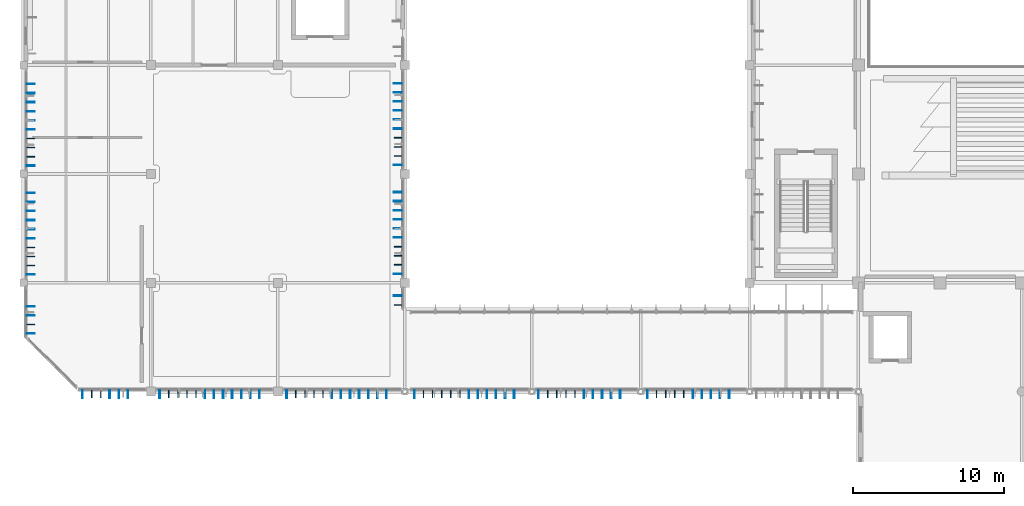
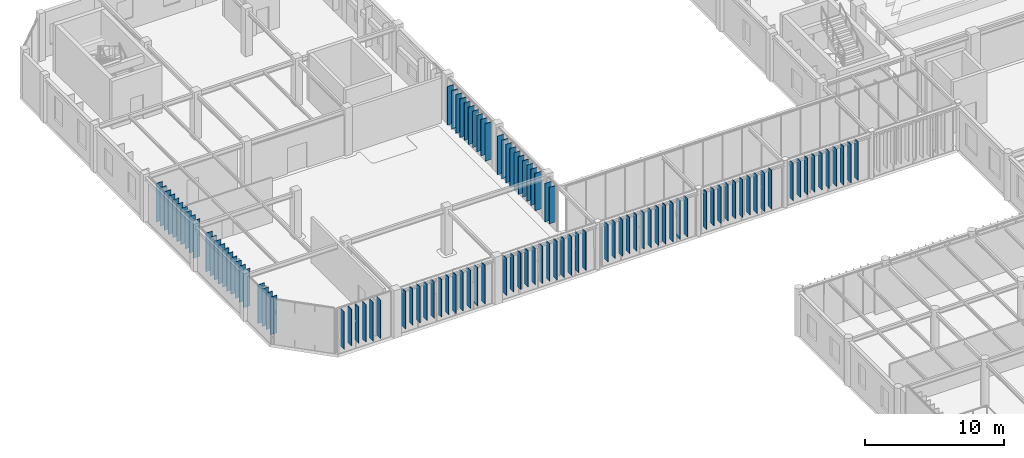
# One storey, part 18 of 104: 108 plates.
"""IFC4 building model written with IfcOpenShell, lengths in metres."""

from ifc_helpers import new_model, si_unit, direction, frame, origin, origin_2d, place, context, subcontext, project, spatial, rectangle, extrude, material, layer, layer_set, type_object, element, save


model = new_model("IFC4")

# Units and contexts
model_context = context("Model", 3, precision=1e-05, world=origin(), true_north=direction((0.0, 1.0)))
body_context = subcontext(model_context, "Body", "Model", "MODEL_VIEW")
ifc_project = project(units=[si_unit("LENGTHUNIT", "METRE"), si_unit("AREAUNIT", "SQUARE_METRE"), si_unit("VOLUMEUNIT", "CUBIC_METRE"), si_unit("PLANEANGLEUNIT", "RADIAN"), si_unit("MASSUNIT", "GRAM", prefix="KILO")], contexts=[model_context])

# Site, building, storey
site_placement = place(None, origin())
site = spatial("IfcSite", under=ifc_project, at=site_placement, CompositionType="ELEMENT")
building_placement = place(site_placement, origin())
building = spatial("IfcBuilding", under=site, at=building_placement, Name="Tazoul Stagehouse", CompositionType="ELEMENT")
storey_placement = place(building_placement, frame((0.0, 0.0, 9.0)))
storey = spatial("IfcBuildingStorey", under=building, at=storey_placement, Name="L02", CompositionType="ELEMENT", Elevation=9.0)

# Plates
ifc_material = material(Name="Anodised Bronze Aluminium 6063-T6", Category="aluminium")
ifc_layer_1 = layer(ifc_material, 0.52001953125, Name="Anodised Bronze Aluminium 6063-T6")
ifc_layer_set_1 = layer_set([ifc_layer_1], Name="Anodised Bronze Aluminium 6063-T6")
plate_type_1 = type_object("IfcPlateType", Name="Parametric Terracotta-Bronze Solar Fin 520x3200", PredefinedType="USERDEFINED", material=ifc_layer_set_1)
for number, where, z_axis, x_axis, name in (
    (1, (6.889892578125, 44.449951171875, 0.7099609375), (0.0, 0.0, 1.0), (1.0, 0.0, 0.0), "L02 Parametric Solar Fin SFN-18 (CW-V6-S-L02-B1-02)"),
    (2, (7.489990234375, 44.449951171875, 0.7099609375), (0.0, 0.0, 1.0), (1.0, 0.0, 0.0), "L02 Parametric Solar Fin SFN-18 (CW-V6-S-L02-B1-03)"),
    (3, (11.989990234375, 44.449951171875, 0.7099609375), (0.0, 0.0, 1.0), (1.0, 0.0, 0.0), "L02 Parametric Solar Fin SFN-18 (CW-V6-S-L02-B2-02)"),
    (4, (12.590087890625, 44.449951171875, 0.7099609375), (0.0, 0.0, 1.0), (1.0, 0.0, 0.0), "L02 Parametric Solar Fin SFN-18 (CW-V6-S-L02-B2-03)"),
    (5, (13.18994140625, 44.449951171875, 0.7099609375), (0.0, 0.0, 1.0), (1.0, 0.0, 0.0), "L02 Parametric Solar Fin SFN-18 (CW-V6-S-L02-B2-04)"),
    (6, (13.7900390625, 44.449951171875, 0.7099609375), (0.0, 0.0, 1.0), (1.0, 0.0, 0.0), "L02 Parametric Solar Fin SFN-18 (CW-V6-S-L02-B2-05)"),
    (7, (20.389892578125, 44.449951171875, 0.7099609375), (0.0, 0.0, 1.0), (1.0, 0.0, 0.0), "L02 Parametric Solar Fin SFN-18 (CW-V6-S-L02-B3-02)"),
    (8, (20.989990234375, 44.449951171875, 0.7099609375), (0.0, 0.0, 1.0), (1.0, 0.0, 0.0), "L02 Parametric Solar Fin SFN-18 (CW-V6-S-L02-B3-03)"),
    (9, (21.590087890625, 44.449951171875, 0.7099609375), (0.0, 0.0, 1.0), (1.0, 0.0, 0.0), "L02 Parametric Solar Fin SFN-18 (CW-V6-S-L02-B3-04)"),
    (10, (22.18994140625, 44.449951171875, 0.7099609375), (0.0, 0.0, 1.0), (1.0, 0.0, 0.0), "L02 Parametric Solar Fin SFN-18 (CW-V6-S-L02-B3-05)"),
    (11, (2.85009765625, 49.0400390625, 0.7099609375), (0.0, 0.0, 1.0), (0.0, 1.0, 0.0), "L02 Parametric Solar Fin SFN-18 (CW-V6-W1-L02-B1-02)"),
    (12, (2.85009765625, 52.93994140625, 0.7099609375), (0.0, 0.0, 1.0), (0.0, 1.0, 0.0), "L02 Parametric Solar Fin SFN-18 (CW-V6-W1-L02-B2-02)"),
    (13, (2.85009765625, 53.5400390625, 0.7099609375), (0.0, 0.0, 1.0), (0.0, 1.0, 0.0), "L02 Parametric Solar Fin SFN-18 (CW-V6-W1-L02-B2-03)"),
    (14, (2.85009765625, 54.139892578125, 0.7099609375), (0.0, 0.0, 1.0), (0.0, 1.0, 0.0), "L02 Parametric Solar Fin SFN-18 (CW-V6-W1-L02-B2-04)"),
    (15, (2.85009765625, 60.139892578125, 0.7099609375), (0.0, 0.0, 1.0), (0.0, 1.0, 0.0), "L02 Parametric Solar Fin SFN-18 (CW-V6-W1-L02-B3-02)"),
    (16, (2.85009765625, 60.739990234375, 0.7099609375), (0.0, 0.0, 1.0), (0.0, 1.0, 0.0), "L02 Parametric Solar Fin SFN-18 (CW-V6-W1-L02-B3-03)"),
    (17, (2.85009765625, 61.340087890625, 0.7099609375), (0.0, 0.0, 1.0), (0.0, 1.0, 0.0), "L02 Parametric Solar Fin SFN-18 (CW-V6-W1-L02-B3-04)"),
    (18, (27.14990234375, 50.340087890625, 0.7099609375), (0.0, 0.0, 1.0), (0.0, 1.0, 0.0), "L02 Parametric Solar Fin SFN-18 (CW-V6-E1-L02-B1-01)"),
    (19, (27.14990234375, 52.989990234375, 0.7099609375), (0.0, 0.0, 1.0), (0.0, 1.0, 0.0), "L02 Parametric Solar Fin SFN-18 (CW-V6-E1-L02-B2-02)"),
    (20, (27.14990234375, 53.590087890625, 0.7099609375), (0.0, 0.0, 1.0), (0.0, 1.0, 0.0), "L02 Parametric Solar Fin SFN-18 (CW-V6-E1-L02-B2-03)"),
    (21, (27.14990234375, 54.18994140625, 0.7099609375), (0.0, 0.0, 1.0), (0.0, 1.0, 0.0), "L02 Parametric Solar Fin SFN-18 (CW-V6-E1-L02-B2-04)"),
    (22, (27.14990234375, 60.18994140625, 0.7099609375), (0.0, 0.0, 1.0), (0.0, 1.0, 0.0), "L02 Parametric Solar Fin SFN-18 (CW-V6-E1-L02-B3-02)"),
    (23, (27.14990234375, 60.7900390625, 0.7099609375), (0.0, 0.0, 1.0), (0.0, 1.0, 0.0), "L02 Parametric Solar Fin SFN-18 (CW-V6-E1-L02-B3-03)"),
    (24, (27.14990234375, 61.389892578125, 0.7099609375), (0.0, 0.0, 1.0), (0.0, 1.0, 0.0), "L02 Parametric Solar Fin SFN-18 (CW-V6-E1-L02-B3-04)"),
    (25, (28.840087890625, 44.449951171875, 0.68994140625), (0.0, 0.0, 1.0), (1.0, 0.0, 0.0), "L02 Parametric Solar Fin SFN-18 (CW-WLNK-S-L02-B1-02)"),
    (26, (29.43994140625, 44.449951171875, 0.68994140625), (0.0, 0.0, 1.0), (1.0, 0.0, 0.0), "L02 Parametric Solar Fin SFN-18 (CW-WLNK-S-L02-B1-03)"),
    (27, (30.0400390625, 44.449951171875, 0.68994140625), (0.0, 0.0, 1.0), (1.0, 0.0, 0.0), "L02 Parametric Solar Fin SFN-18 (CW-WLNK-S-L02-B1-04)"),
    (28, (30.639892578125, 44.449951171875, 0.68994140625), (0.0, 0.0, 1.0), (1.0, 0.0, 0.0), "L02 Parametric Solar Fin SFN-18 (CW-WLNK-S-L02-B1-05)"),
    (29, (31.239990234375, 44.449951171875, 0.68994140625), (0.0, 0.0, 1.0), (1.0, 0.0, 0.0), "L02 Parametric Solar Fin SFN-18 (CW-WLNK-S-L02-B1-06)"),
    (30, (37.052001953125, 44.449951171875, 0.68994140625), (0.0, 0.0, 1.0), (1.0, 0.0, 0.0), "L02 Parametric Solar Fin SFN-18 (CW-WLNK-S-L02-B2-02)"),
    (31, (37.652099609375, 44.449951171875, 0.68994140625), (0.0, 0.0, 1.0), (1.0, 0.0, 0.0), "L02 Parametric Solar Fin SFN-18 (CW-WLNK-S-L02-B2-03)"),
    (32, (38.251953125, 44.449951171875, 0.68994140625), (0.0, 0.0, 1.0), (1.0, 0.0, 0.0), "L02 Parametric Solar Fin SFN-18 (CW-WLNK-S-L02-B2-04)"),
    (33, (38.85205078125, 44.449951171875, 0.68994140625), (0.0, 0.0, 1.0), (1.0, 0.0, 0.0), "L02 Parametric Solar Fin SFN-18 (CW-WLNK-S-L02-B2-05)"),
    (34, (44.251953125, 44.449951171875, 0.68994140625), (0.0, 0.0, 1.0), (1.0, 0.0, 0.0), "L02 Parametric Solar Fin SFN-18 (CW-WLNK-S-L02-B3-02)"),
    (35, (44.85205078125, 44.449951171875, 0.68994140625), (0.0, 0.0, 1.0), (1.0, 0.0, 0.0), "L02 Parametric Solar Fin SFN-18 (CW-WLNK-S-L02-B3-03)"),
    (36, (45.451904296875, 44.449951171875, 0.68994140625), (0.0, 0.0, 1.0), (1.0, 0.0, 0.0), "L02 Parametric Solar Fin SFN-18 (CW-WLNK-S-L02-B3-04)"),
    (37, (46.052001953125, 44.449951171875, 0.68994140625), (0.0, 0.0, 1.0), (1.0, 0.0, 0.0), "L02 Parametric Solar Fin SFN-18 (CW-WLNK-S-L02-B3-05)"),
):
    element("IfcPlate", number, at=place(storey_placement, frame(where, z_axis=z_axis, x_axis=x_axis)), inside=storey, type_object=plate_type_1, Name=name, ObjectType="SOLAR FIN", PredefinedType="USERDEFINED", context=body_context, shape_type="SweptSolid", body=[
        extrude(rectangle(XDim=0.044921875, YDim=0.52001953125, at=origin_2d()), origin(), (0.0, 0.0, 1.0), 3.199951171875),
    ])
ifc_layer_2 = layer(ifc_material, 0.530029296875, Name="Anodised Bronze Aluminium 6063-T6")
ifc_layer_set_2 = layer_set([ifc_layer_2], Name="Anodised Bronze Aluminium 6063-T6")
plate_type_2 = type_object("IfcPlateType", Name="Parametric Terracotta-Bronze Solar Fin 530x3300", PredefinedType="USERDEFINED", material=ifc_layer_set_2)
for number, where, z_axis, x_axis, name in (
    (38, (6.2900390625, 44.445068359375, 0.60986328125), (0.0, 0.0, 1.0), (1.0, 0.0, 0.0), "L02 Parametric Solar Fin SFN-19 (CW-V6-S-L02-B1-01)"),
    (39, (8.090087890625, 44.445068359375, 0.60986328125), (0.0, 0.0, 1.0), (1.0, 0.0, 0.0), "L02 Parametric Solar Fin SFN-19 (CW-V6-S-L02-B1-04)"),
    (40, (11.389892578125, 44.445068359375, 0.60986328125), (0.0, 0.0, 1.0), (1.0, 0.0, 0.0), "L02 Parametric Solar Fin SFN-19 (CW-V6-S-L02-B2-01)"),
    (41, (14.389892578125, 44.445068359375, 0.60986328125), (0.0, 0.0, 1.0), (1.0, 0.0, 0.0), "L02 Parametric Solar Fin SFN-19 (CW-V6-S-L02-B2-06)"),
    (42, (14.989990234375, 44.445068359375, 0.60986328125), (0.0, 0.0, 1.0), (1.0, 0.0, 0.0), "L02 Parametric Solar Fin SFN-19 (CW-V6-S-L02-B2-07)"),
    (43, (19.7900390625, 44.445068359375, 0.60986328125), (0.0, 0.0, 1.0), (1.0, 0.0, 0.0), "L02 Parametric Solar Fin SFN-19 (CW-V6-S-L02-B3-01)"),
    (44, (22.7900390625, 44.445068359375, 0.60986328125), (0.0, 0.0, 1.0), (1.0, 0.0, 0.0), "L02 Parametric Solar Fin SFN-19 (CW-V6-S-L02-B3-06)"),
    (45, (23.389892578125, 44.445068359375, 0.60986328125), (0.0, 0.0, 1.0), (1.0, 0.0, 0.0), "L02 Parametric Solar Fin SFN-19 (CW-V6-S-L02-B3-07)"),
    (46, (2.85498046875, 48.43994140625, 0.60986328125), (0.0, 0.0, 1.0), (0.0, 1.0, 0.0), "L02 Parametric Solar Fin SFN-19 (CW-V6-W1-L02-B1-01)"),
    (47, (2.85498046875, 49.639892578125, 0.60986328125), (0.0, 0.0, 1.0), (0.0, 1.0, 0.0), "L02 Parametric Solar Fin SFN-19 (CW-V6-W1-L02-B1-03)"),
    (48, (2.85498046875, 52.340087890625, 0.60986328125), (0.0, 0.0, 1.0), (0.0, 1.0, 0.0), "L02 Parametric Solar Fin SFN-19 (CW-V6-W1-L02-B2-01)"),
    (49, (2.85498046875, 54.739990234375, 0.60986328125), (0.0, 0.0, 1.0), (0.0, 1.0, 0.0), "L02 Parametric Solar Fin SFN-19 (CW-V6-W1-L02-B2-05)"),
    (50, (2.85498046875, 55.340087890625, 0.60986328125), (0.0, 0.0, 1.0), (0.0, 1.0, 0.0), "L02 Parametric Solar Fin SFN-19 (CW-V6-W1-L02-B2-06)"),
    (51, (2.85498046875, 59.5400390625, 0.60986328125), (0.0, 0.0, 1.0), (0.0, 1.0, 0.0), "L02 Parametric Solar Fin SFN-19 (CW-V6-W1-L02-B3-01)"),
    (52, (2.85498046875, 61.93994140625, 0.60986328125), (0.0, 0.0, 1.0), (0.0, 1.0, 0.0), "L02 Parametric Solar Fin SFN-19 (CW-V6-W1-L02-B3-05)"),
    (53, (2.85498046875, 62.5400390625, 0.60986328125), (0.0, 0.0, 1.0), (0.0, 1.0, 0.0), "L02 Parametric Solar Fin SFN-19 (CW-V6-W1-L02-B3-06)"),
    (54, (27.14501953125, 52.389892578125, 0.60986328125), (0.0, 0.0, 1.0), (0.0, 1.0, 0.0), "L02 Parametric Solar Fin SFN-19 (CW-V6-E1-L02-B2-01)"),
    (55, (27.14501953125, 54.7900390625, 0.60986328125), (0.0, 0.0, 1.0), (0.0, 1.0, 0.0), "L02 Parametric Solar Fin SFN-19 (CW-V6-E1-L02-B2-05)"),
    (56, (27.14501953125, 55.389892578125, 0.60986328125), (0.0, 0.0, 1.0), (0.0, 1.0, 0.0), "L02 Parametric Solar Fin SFN-19 (CW-V6-E1-L02-B2-06)"),
    (57, (27.14501953125, 59.590087890625, 0.60986328125), (0.0, 0.0, 1.0), (0.0, 1.0, 0.0), "L02 Parametric Solar Fin SFN-19 (CW-V6-E1-L02-B3-01)"),
    (58, (27.14501953125, 61.989990234375, 0.60986328125), (0.0, 0.0, 1.0), (0.0, 1.0, 0.0), "L02 Parametric Solar Fin SFN-19 (CW-V6-E1-L02-B3-05)"),
    (59, (27.14501953125, 62.590087890625, 0.60986328125), (0.0, 0.0, 1.0), (0.0, 1.0, 0.0), "L02 Parametric Solar Fin SFN-19 (CW-V6-E1-L02-B3-06)"),
    (60, (28.239990234375, 44.445068359375, 0.58984375), (0.0, 0.0, 1.0), (1.0, 0.0, 0.0), "L02 Parametric Solar Fin SFN-19 (CW-WLNK-S-L02-B1-01)"),
    (61, (31.840087890625, 44.445068359375, 0.58984375), (0.0, 0.0, 1.0), (1.0, 0.0, 0.0), "L02 Parametric Solar Fin SFN-19 (CW-WLNK-S-L02-B1-07)"),
    (62, (32.43994140625, 44.445068359375, 0.58984375), (0.0, 0.0, 1.0), (1.0, 0.0, 0.0), "L02 Parametric Solar Fin SFN-19 (CW-WLNK-S-L02-B1-08)"),
    (63, (36.451904296875, 44.445068359375, 0.58984375), (0.0, 0.0, 1.0), (1.0, 0.0, 0.0), "L02 Parametric Solar Fin SFN-19 (CW-WLNK-S-L02-B2-01)"),
    (64, (39.451904296875, 44.445068359375, 0.58984375), (0.0, 0.0, 1.0), (1.0, 0.0, 0.0), "L02 Parametric Solar Fin SFN-19 (CW-WLNK-S-L02-B2-06)"),
    (65, (40.052001953125, 44.445068359375, 0.58984375), (0.0, 0.0, 1.0), (1.0, 0.0, 0.0), "L02 Parametric Solar Fin SFN-19 (CW-WLNK-S-L02-B2-07)"),
    (66, (43.652099609375, 44.445068359375, 0.58984375), (0.0, 0.0, 1.0), (1.0, 0.0, 0.0), "L02 Parametric Solar Fin SFN-19 (CW-WLNK-S-L02-B3-01)"),
    (67, (46.652099609375, 44.445068359375, 0.58984375), (0.0, 0.0, 1.0), (1.0, 0.0, 0.0), "L02 Parametric Solar Fin SFN-19 (CW-WLNK-S-L02-B3-06)"),
    (68, (47.251953125, 44.445068359375, 0.58984375), (0.0, 0.0, 1.0), (1.0, 0.0, 0.0), "L02 Parametric Solar Fin SFN-19 (CW-WLNK-S-L02-B3-07)"),
):
    element("IfcPlate", number, at=place(storey_placement, frame(where, z_axis=z_axis, x_axis=x_axis)), inside=storey, type_object=plate_type_2, Name=name, ObjectType="SOLAR FIN", PredefinedType="USERDEFINED", context=body_context, shape_type="SweptSolid", body=[
        extrude(rectangle(XDim=0.044921875, YDim=0.530029296875, at=origin_2d()), origin(), (0.0, 0.0, 1.0), 3.300048828125),
    ])
ifc_layer_3 = layer(ifc_material, 0.5400390625, Name="Anodised Bronze Aluminium 6063-T6")
ifc_layer_set_3 = layer_set([ifc_layer_3], Name="Anodised Bronze Aluminium 6063-T6")
plate_type_3 = type_object("IfcPlateType", Name="Parametric Terracotta-Bronze Solar Fin 540x3400", PredefinedType="USERDEFINED", material=ifc_layer_set_3)
for number, where, z_axis, x_axis, name in (
    (69, (8.68994140625, 44.43994140625, 0.510009765625), (0.0, 0.0, 1.0), (1.0, 0.0, 0.0), "L02 Parametric Solar Fin SFN-20 (CW-V6-S-L02-B1-05)"),
    (70, (9.2900390625, 44.43994140625, 0.510009765625), (0.0, 0.0, 1.0), (1.0, 0.0, 0.0), "L02 Parametric Solar Fin SFN-20 (CW-V6-S-L02-B1-06)"),
    (71, (15.590087890625, 44.43994140625, 0.510009765625), (0.0, 0.0, 1.0), (1.0, 0.0, 0.0), "L02 Parametric Solar Fin SFN-20 (CW-V6-S-L02-B2-08)"),
    (72, (16.18994140625, 44.43994140625, 0.510009765625), (0.0, 0.0, 1.0), (1.0, 0.0, 0.0), "L02 Parametric Solar Fin SFN-20 (CW-V6-S-L02-B2-09)"),
    (73, (16.7900390625, 44.43994140625, 0.510009765625), (0.0, 0.0, 1.0), (1.0, 0.0, 0.0), "L02 Parametric Solar Fin SFN-20 (CW-V6-S-L02-B2-10)"),
    (74, (17.389892578125, 44.43994140625, 0.510009765625), (0.0, 0.0, 1.0), (1.0, 0.0, 0.0), "L02 Parametric Solar Fin SFN-20 (CW-V6-S-L02-B2-11)"),
    (75, (17.989990234375, 44.43994140625, 0.510009765625), (0.0, 0.0, 1.0), (1.0, 0.0, 0.0), "L02 Parametric Solar Fin SFN-20 (CW-V6-S-L02-B2-12)"),
    (76, (23.989990234375, 44.43994140625, 0.510009765625), (0.0, 0.0, 1.0), (1.0, 0.0, 0.0), "L02 Parametric Solar Fin SFN-20 (CW-V6-S-L02-B3-08)"),
    (77, (24.590087890625, 44.43994140625, 0.510009765625), (0.0, 0.0, 1.0), (1.0, 0.0, 0.0), "L02 Parametric Solar Fin SFN-20 (CW-V6-S-L02-B3-09)"),
    (78, (25.18994140625, 44.43994140625, 0.510009765625), (0.0, 0.0, 1.0), (1.0, 0.0, 0.0), "L02 Parametric Solar Fin SFN-20 (CW-V6-S-L02-B3-10)"),
    (79, (25.7900390625, 44.43994140625, 0.510009765625), (0.0, 0.0, 1.0), (1.0, 0.0, 0.0), "L02 Parametric Solar Fin SFN-20 (CW-V6-S-L02-B3-11)"),
    (80, (26.389892578125, 44.43994140625, 0.510009765625), (0.0, 0.0, 1.0), (1.0, 0.0, 0.0), "L02 Parametric Solar Fin SFN-20 (CW-V6-S-L02-B3-12)"),
    (81, (2.860107421875, 50.239990234375, 0.510009765625), (0.0, 0.0, 1.0), (0.0, 1.0, 0.0), "L02 Parametric Solar Fin SFN-20 (CW-V6-W1-L02-B1-04)"),
    (82, (2.860107421875, 55.93994140625, 0.510009765625), (0.0, 0.0, 1.0), (0.0, 1.0, 0.0), "L02 Parametric Solar Fin SFN-20 (CW-V6-W1-L02-B2-07)"),
    (83, (2.860107421875, 56.5400390625, 0.510009765625), (0.0, 0.0, 1.0), (0.0, 1.0, 0.0), "L02 Parametric Solar Fin SFN-20 (CW-V6-W1-L02-B2-08)"),
    (84, (2.860107421875, 57.139892578125, 0.510009765625), (0.0, 0.0, 1.0), (0.0, 1.0, 0.0), "L02 Parametric Solar Fin SFN-20 (CW-V6-W1-L02-B2-09)"),
    (85, (2.860107421875, 57.739990234375, 0.510009765625), (0.0, 0.0, 1.0), (0.0, 1.0, 0.0), "L02 Parametric Solar Fin SFN-20 (CW-V6-W1-L02-B2-10)"),
    (86, (2.860107421875, 63.139892578125, 0.510009765625), (0.0, 0.0, 1.0), (0.0, 1.0, 0.0), "L02 Parametric Solar Fin SFN-20 (CW-V6-W1-L02-B3-07)"),
    (87, (2.860107421875, 63.739990234375, 0.510009765625), (0.0, 0.0, 1.0), (0.0, 1.0, 0.0), "L02 Parametric Solar Fin SFN-20 (CW-V6-W1-L02-B3-08)"),
    (88, (2.860107421875, 64.340087890625, 0.510009765625), (0.0, 0.0, 1.0), (0.0, 1.0, 0.0), "L02 Parametric Solar Fin SFN-20 (CW-V6-W1-L02-B3-09)"),
    (89, (2.860107421875, 64.93994140625, 0.510009765625), (0.0, 0.0, 1.0), (0.0, 1.0, 0.0), "L02 Parametric Solar Fin SFN-20 (CW-V6-W1-L02-B3-10)"),
    (90, (27.139892578125, 50.93994140625, 0.510009765625), (0.0, 0.0, 1.0), (0.0, 1.0, 0.0), "L02 Parametric Solar Fin SFN-20 (CW-V6-E1-L02-B1-02)"),
    (91, (27.139892578125, 55.989990234375, 0.510009765625), (0.0, 0.0, 1.0), (0.0, 1.0, 0.0), "L02 Parametric Solar Fin SFN-20 (CW-V6-E1-L02-B2-07)"),
    (92, (27.139892578125, 56.590087890625, 0.510009765625), (0.0, 0.0, 1.0), (0.0, 1.0, 0.0), "L02 Parametric Solar Fin SFN-20 (CW-V6-E1-L02-B2-08)"),
    (93, (27.139892578125, 57.18994140625, 0.510009765625), (0.0, 0.0, 1.0), (0.0, 1.0, 0.0), "L02 Parametric Solar Fin SFN-20 (CW-V6-E1-L02-B2-09)"),
    (94, (27.139892578125, 57.7900390625, 0.510009765625), (0.0, 0.0, 1.0), (0.0, 1.0, 0.0), "L02 Parametric Solar Fin SFN-20 (CW-V6-E1-L02-B2-10)"),
    (95, (27.139892578125, 63.18994140625, 0.510009765625), (0.0, 0.0, 1.0), (0.0, 1.0, 0.0), "L02 Parametric Solar Fin SFN-20 (CW-V6-E1-L02-B3-07)"),
    (96, (27.139892578125, 63.7900390625, 0.510009765625), (0.0, 0.0, 1.0), (0.0, 1.0, 0.0), "L02 Parametric Solar Fin SFN-20 (CW-V6-E1-L02-B3-08)"),
    (97, (27.139892578125, 64.389892578125, 0.510009765625), (0.0, 0.0, 1.0), (0.0, 1.0, 0.0), "L02 Parametric Solar Fin SFN-20 (CW-V6-E1-L02-B3-09)"),
    (98, (27.139892578125, 64.989990234375, 0.510009765625), (0.0, 0.0, 1.0), (0.0, 1.0, 0.0), "L02 Parametric Solar Fin SFN-20 (CW-V6-E1-L02-B3-10)"),
    (99, (33.0400390625, 44.43994140625, 0.489990234375), (0.0, 0.0, 1.0), (1.0, 0.0, 0.0), "L02 Parametric Solar Fin SFN-20 (CW-WLNK-S-L02-B1-09)"),
    (100, (33.639892578125, 44.43994140625, 0.489990234375), (0.0, 0.0, 1.0), (1.0, 0.0, 0.0), "L02 Parametric Solar Fin SFN-20 (CW-WLNK-S-L02-B1-10)"),
    (101, (34.239990234375, 44.43994140625, 0.489990234375), (0.0, 0.0, 1.0), (1.0, 0.0, 0.0), "L02 Parametric Solar Fin SFN-20 (CW-WLNK-S-L02-B1-11)"),
    (102, (34.840087890625, 44.43994140625, 0.489990234375), (0.0, 0.0, 1.0), (1.0, 0.0, 0.0), "L02 Parametric Solar Fin SFN-20 (CW-WLNK-S-L02-B1-12)"),
    (103, (40.652099609375, 44.43994140625, 0.489990234375), (0.0, 0.0, 1.0), (1.0, 0.0, 0.0), "L02 Parametric Solar Fin SFN-20 (CW-WLNK-S-L02-B2-08)"),
    (104, (41.251953125, 44.43994140625, 0.489990234375), (0.0, 0.0, 1.0), (1.0, 0.0, 0.0), "L02 Parametric Solar Fin SFN-20 (CW-WLNK-S-L02-B2-09)"),
    (105, (41.85205078125, 44.43994140625, 0.489990234375), (0.0, 0.0, 1.0), (1.0, 0.0, 0.0), "L02 Parametric Solar Fin SFN-20 (CW-WLNK-S-L02-B2-10)"),
    (106, (47.85205078125, 44.43994140625, 0.489990234375), (0.0, 0.0, 1.0), (1.0, 0.0, 0.0), "L02 Parametric Solar Fin SFN-20 (CW-WLNK-S-L02-B3-08)"),
    (107, (48.451904296875, 44.43994140625, 0.489990234375), (0.0, 0.0, 1.0), (1.0, 0.0, 0.0), "L02 Parametric Solar Fin SFN-20 (CW-WLNK-S-L02-B3-09)"),
    (108, (49.052001953125, 44.43994140625, 0.489990234375), (0.0, 0.0, 1.0), (1.0, 0.0, 0.0), "L02 Parametric Solar Fin SFN-20 (CW-WLNK-S-L02-B3-10)"),
):
    element("IfcPlate", number, at=place(storey_placement, frame(where, z_axis=z_axis, x_axis=x_axis)), inside=storey, type_object=plate_type_3, Name=name, ObjectType="SOLAR FIN", PredefinedType="USERDEFINED", context=body_context, shape_type="SweptSolid", body=[
        extrude(rectangle(XDim=0.044921875, YDim=0.5400390625, at=origin_2d()), origin(), (0.0, 0.0, 1.0), 3.39990234375),
    ])

save(model, "model.ifc")
